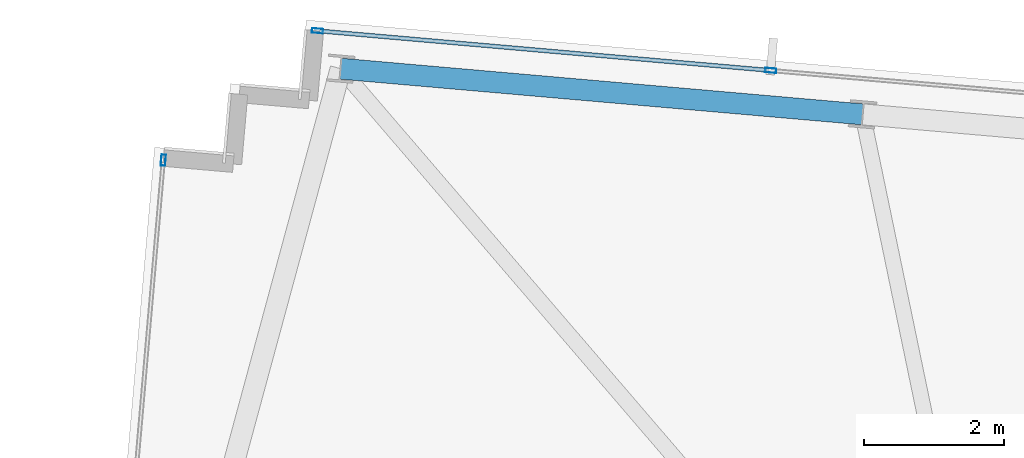
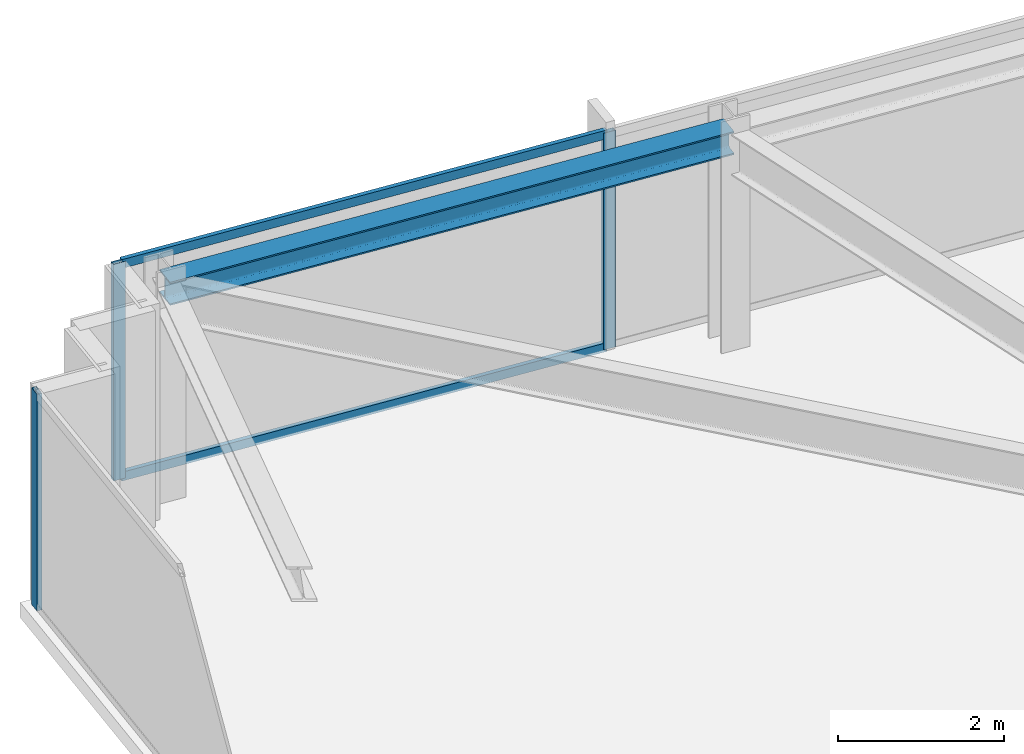
# One storey, part 23 of 32: 5 members, 1 beam, 2 elements without a shape of their own.
"""IFC4 building model written with IfcOpenShell, lengths in metres."""

from ifc_helpers import new_model, si_unit, direction, frame, origin, origin_2d, place, context, subcontext, project, spatial, hollow_rectangle, i_section, extrude, material, material_profile, profile_set, type_object, element, aggregate, save


model = new_model("IFC4")

# Units and contexts
model_context = context("Model", 3, precision=1e-05, world=origin(), true_north=direction((0.0, 1.0)))
body_context = subcontext(model_context, "Body", "Model", "MODEL_VIEW")
ifc_project = project(units=[si_unit("LENGTHUNIT", "METRE"), si_unit("AREAUNIT", "SQUARE_METRE"), si_unit("VOLUMEUNIT", "CUBIC_METRE"), si_unit("PLANEANGLEUNIT", "RADIAN"), si_unit("MASSUNIT", "GRAM", prefix="KILO")], contexts=[model_context])

# Site, building, storey
site_placement = place(None, origin())
site = spatial("IfcSite", under=ifc_project, at=site_placement, CompositionType="ELEMENT")
building_placement = place(site_placement, origin())
building = spatial("IfcBuilding", under=site, at=building_placement, Name="Yelkora Congress Tower", CompositionType="ELEMENT")
storey_placement = place(building_placement, frame((0.0, 0.0, 293.10009765625)))
storey = spatial("IfcBuildingStorey", under=building, at=storey_placement, Name="L82", CompositionType="ELEMENT", Elevation=293.10009765625)

# Beam
ifc_material_1 = material(Name="Steel S355J2", Category="steel")
ifc_material_profile_1 = material_profile(ifc_material_1, i_section(OverallWidth=0.300048828125, OverallDepth=0.340087890625, WebThickness=0.011962890625, FlangeThickness=0.021484375, FilletRadius=0.027099609375, at=origin_2d()), Name="HEB 340")
ifc_profile_set_1 = profile_set([ifc_material_profile_1], Name="Steel S355J2")
beam_type = type_object("IfcBeamType", Name="BM-SPAN-HEB340", PredefinedType="SPANDREL", material=ifc_profile_set_1)
beam_placement = place(storey_placement, frame((18.058837890625, 49.231689453125, 3.010009765625), z_axis=(-0.996193186297, 0.08717302092, 0.0), x_axis=(-0.08717302092, -0.996193186297, 0.0)))
element("IfcBeam", 1, at=beam_placement, inside=storey, type_object=beam_type, Name="L82 Perimeter Beam 12", PredefinedType="SPANDREL", context=body_context, shape_type="SweptSolid", body=[
    extrude(i_section(OverallWidth=0.300048828125, OverallDepth=0.340087890625, WebThickness=0.011962890625, FlangeThickness=0.021484375, FilletRadius=0.027099609375, at=origin_2d()), origin(), (0.0, 0.0, 1.0), 7.4833984375),
])

# Curtain wall, member
ifc_material_2 = material(Name="Anodised aluminium and insulated glass", Category="aluminium")
curtain_wall_type = type_object("IfcCurtainWallType", Name="CW-SYS-B5", PredefinedType="NOTDEFINED", material=ifc_material_2)
curtain_wall_1_placement = place(storey_placement, origin())
curtain_wall_1 = element("IfcCurtainWall", 2, at=curtain_wall_1_placement, inside=storey, type_object=curtain_wall_type, Name="L82 Unitised Curtain Wall 5", PredefinedType="NOTDEFINED")
ifc_material_3 = material(Name="Anodised aluminium 6063-T6", Category="aluminium")
ifc_material_profile_2 = material_profile(ifc_material_3, hollow_rectangle(XDim=0.06494140625, YDim=0.159912109375, WallThickness=0.00390625, at=origin_2d()), Name="ALU 65x160x4")
ifc_profile_set_2 = profile_set([ifc_material_profile_2], Name="Anodised aluminium 6063-T6")
member_type_1 = type_object("IfcMemberType", Name="MEM-ML-B5", PredefinedType="MULLION", material=ifc_profile_set_2)
member_1_placement = place(storey_placement, frame((8.070556640625, 48.577392578125, 0.0), z_axis=(0.0, 0.0, 1.0), x_axis=(-0.996194785929, 0.08715473876, 0.0)))
member_1 = element("IfcMember", 3, at=member_1_placement, type_object=member_type_1, Name="CW-B5 mullion 5", PredefinedType="MULLION", context=body_context, shape_type="SweptSolid", body=[
    extrude(hollow_rectangle(XDim=0.06494140625, YDim=0.159912109375, WallThickness=0.00390625, at=origin_2d()), origin(), (0.0, 0.0, 1.0), 3.179931640625),
])
aggregate(curtain_wall_1, [member_1])

# Curtain wall, members
curtain_wall_2_placement = place(storey_placement, origin())
curtain_wall_2 = element("IfcCurtainWall", 4, at=curtain_wall_2_placement, inside=storey, type_object=curtain_wall_type, Name="L82 Unitised Curtain Wall 10", PredefinedType="NOTDEFINED")
member_2_placement = place(storey_placement, frame((10.2724609375, 50.425048828125, 0.0), z_axis=(0.0, 0.0, 1.0), x_axis=(0.087156639893, 0.996194619601, 0.0)))
member_2 = element("IfcMember", 5, at=member_2_placement, type_object=member_type_1, Name="CW-B5 mullion 1", PredefinedType="MULLION", context=body_context, shape_type="SweptSolid", body=[
    extrude(hollow_rectangle(XDim=0.06494140625, YDim=0.159912109375, WallThickness=0.00390625, at=origin_2d()), origin(), (0.0, 0.0, 1.0), 3.179931640625),
])
member_3_placement = place(storey_placement, frame((16.74658203125, 49.858642578125, 0.0), z_axis=(0.0, 0.0, 1.0), x_axis=(0.087156639893, 0.996194619601, 0.0)))
member_3 = element("IfcMember", 6, at=member_3_placement, type_object=member_type_1, Name="CW-B5 mullion 2", PredefinedType="MULLION", context=body_context, shape_type="SweptSolid", body=[
    extrude(hollow_rectangle(XDim=0.06494140625, YDim=0.159912109375, WallThickness=0.00390625, at=origin_2d()), origin(), (0.0, 0.0, 1.0), 3.179931640625),
])
ifc_material_profile_3 = material_profile(ifc_material_3, hollow_rectangle(XDim=0.06005859375, YDim=0.1298828125, WallThickness=0.00390625, at=origin_2d()), Name="ALU 60x130x4")
ifc_profile_set_3 = profile_set([ifc_material_profile_3], Name="Anodised aluminium 6063-T6")
member_type_2 = type_object("IfcMemberType", Name="MEM-TR-B5", PredefinedType="USERDEFINED", material=ifc_profile_set_3)
member_4_placement = place(storey_placement, frame((10.3046875, 50.422119140625, 0.02978515625), z_axis=(0.996194170551, -0.08716177236, 0.0), x_axis=(0.08716177236, 0.996194170551, 0.0)))
member_4 = element("IfcMember", 7, at=member_4_placement, type_object=member_type_2, Name="CW-B5 transom 1.1", ObjectType="TRANSOM", PredefinedType="USERDEFINED", context=body_context, shape_type="SweptSolid", body=[
    extrude(hollow_rectangle(XDim=0.06005859375, YDim=0.1298828125, WallThickness=0.00390625, at=origin_2d()), origin(), (0.0, 0.0, 1.0), 6.433837890625),
])
member_5_placement = place(storey_placement, frame((10.3046875, 50.422119140625, 3.14990234375), z_axis=(0.996194170551, -0.08716177236, 0.0), x_axis=(0.08716177236, 0.996194170551, 0.0)))
member_5 = element("IfcMember", 8, at=member_5_placement, type_object=member_type_2, Name="CW-B5 transom 1.2", ObjectType="TRANSOM", PredefinedType="USERDEFINED", context=body_context, shape_type="SweptSolid", body=[
    extrude(hollow_rectangle(XDim=0.06005859375, YDim=0.1298828125, WallThickness=0.00390625, at=origin_2d()), origin(), (0.0, 0.0, 1.0), 6.433837890625),
])
aggregate(curtain_wall_2, [member_2, member_3, member_4, member_5])

save(model, "model.ifc")
